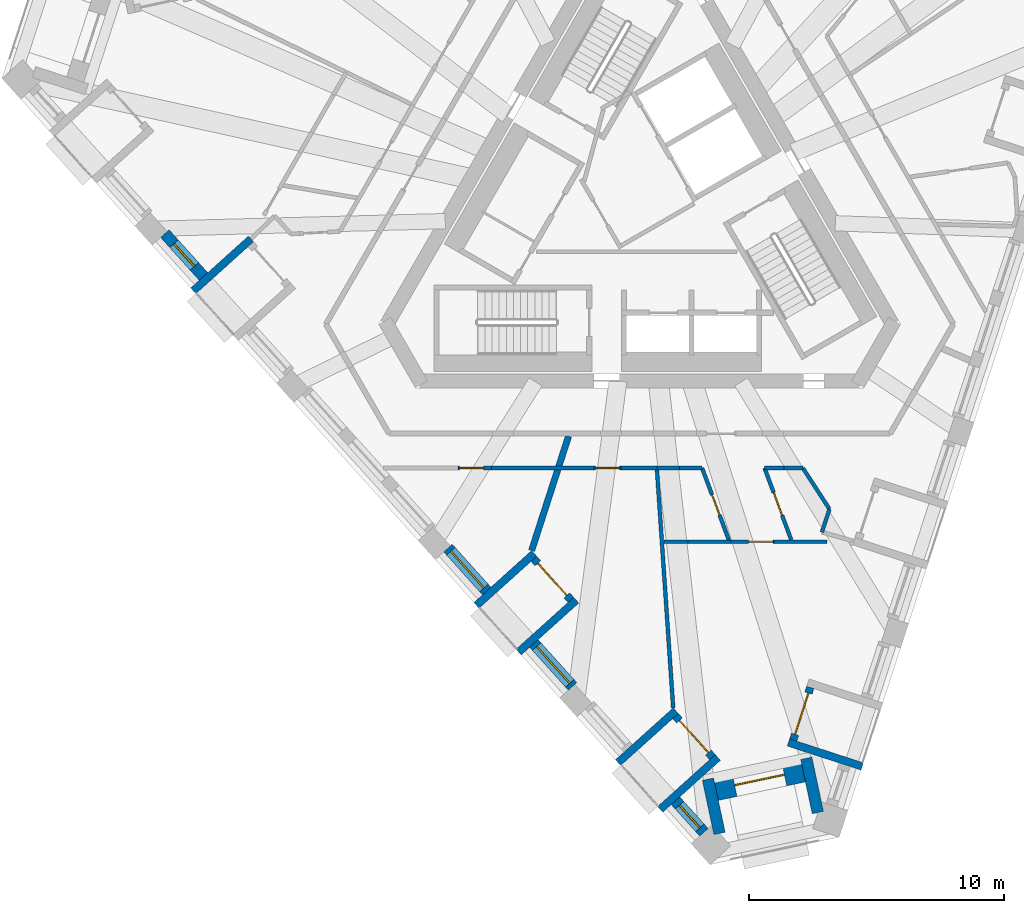
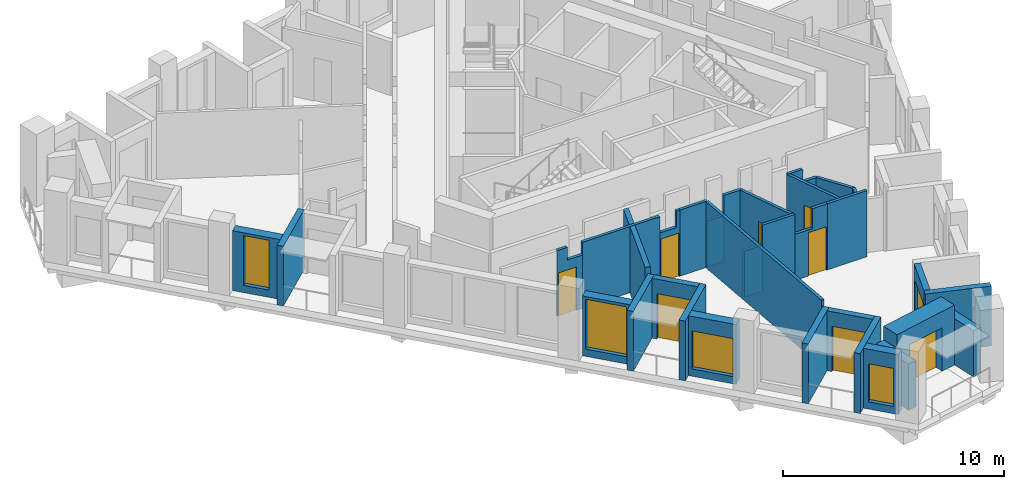
# One storey, part 2 of 12: 34 walls, 9 doors, 4 windows, 13 openings.
"""IFC4 building model written with IfcOpenShell, lengths in metres."""

import ifcopenshell
import ifcopenshell.guid

model = None  # the IFC model being written
_history = None  # IfcOwnerHistory: only IFC2X3 demands one
_inside = {}  # id of a spatial element -> (the spatial element, [elements in it])
_under = {}  # id of a project, library or spatial element -> (it, [spatial elements below it])
_declared = {}  # id of a project -> (the project, [libraries it declares])
_typed = {}  # id of a type object -> (the type object, [elements of that type])
_made_of = {}  # id of a material, layer set ... -> (it, [elements and type objects made of it])


def new_model(schema):
    """Start an empty IFC model of exactly this schema.

    Asked for "IFC4X3", IfcOpenShell would pick the latest addendum, in which some entities
    have other attributes; the version numbers below select the first issue.
    IFC2X3 requires an IfcOwnerHistory on every rooted entity: one is made here for all.
    """
    global model, _history
    if schema == "IFC4X3":
        model = ifcopenshell.file(schema_version=(4, 3, 0, 0))
    else:
        model = ifcopenshell.file(schema=schema)
    _inside.clear()
    _under.clear()
    _declared.clear()
    _typed.clear()
    _made_of.clear()
    _history = None
    if model.schema == "IFC2X3":
        org = make("IfcOrganization", Name="unknown")
        user = make(
            "IfcPersonAndOrganization",
            ThePerson=make("IfcPerson", FamilyName="unknown"),
            TheOrganization=org,
        )
        app = make(
            "IfcApplication",
            ApplicationDeveloper=org,
            Version="unknown",
            ApplicationFullName="unknown",
            ApplicationIdentifier="unknown",
        )
        _history = make(
            "IfcOwnerHistory",
            OwningUser=user,
            OwningApplication=app,
            ChangeAction="ADDED",
            CreationDate=0,
        )
    return model


def make(cls, **values):
    """One entity of the class cls with the attributes given. An attribute that is None is left unset."""
    return model.create_entity(
        cls, **{name: value for name, value in values.items() if value is not None}
    )


def rooted(cls, **values):
    """An entity with a GlobalId (a new one), such as an element, a storey or a relation."""
    return make(cls, GlobalId=ifcopenshell.guid.new(), OwnerHistory=_history, **values)


def si_unit(unit_type, name, prefix=None):
    """IfcSIUnit, for example si_unit("LENGTHUNIT", "METRE", prefix="MILLI")."""
    return make("IfcSIUnit", UnitType=unit_type, Prefix=prefix, Name=name)


def assignment(units):
    """IfcUnitAssignment: the units of a project."""
    return None if units is None else make("IfcUnitAssignment", Units=units)


def point(xyz):
    """IfcCartesianPoint."""
    return None if xyz is None else make("IfcCartesianPoint", Coordinates=xyz)


def direction(xyz):
    """IfcDirection."""
    return None if xyz is None else make("IfcDirection", DirectionRatios=xyz)


def frame(location, z_axis=None, x_axis=None):
    """IfcAxis2Placement3D, a coordinate frame: its origin and axes. An axis left out is left unset."""
    return make(
        "IfcAxis2Placement3D",
        Location=point(location),
        Axis=direction(z_axis),
        RefDirection=direction(x_axis),
    )


def frame_2d(location, x_axis=None):
    """IfcAxis2Placement2D, a coordinate frame in the plane: its origin and x axis."""
    return make(
        "IfcAxis2Placement2D", Location=point(location), RefDirection=direction(x_axis)
    )


def origin():
    """The frame at (0, 0, 0) with its axes left unset."""
    return frame((0.0, 0.0, 0.0))


def place(relative_to, where):
    """IfcLocalPlacement: puts the frame where relative to a parent placement (None: the world)."""
    return make(
        "IfcLocalPlacement", PlacementRelTo=relative_to, RelativePlacement=where
    )


def context(
    kind, dimensions, precision=None, world=None, true_north=None, identifier=None
):
    """IfcGeometricRepresentationContext, for example the 3D "Model" context."""
    return make(
        "IfcGeometricRepresentationContext",
        ContextIdentifier=identifier,
        ContextType=kind,
        CoordinateSpaceDimension=dimensions,
        Precision=precision,
        WorldCoordinateSystem=world,
        TrueNorth=true_north,
    )


def subcontext(parent, identifier, kind, view, scale=None):
    """IfcGeometricRepresentationSubContext, for example "Body" below "Model"."""
    return make(
        "IfcGeometricRepresentationSubContext",
        ContextIdentifier=identifier,
        ContextType=kind,
        ParentContext=parent,
        TargetScale=scale,
        TargetView=view,
    )


def project(units=None, contexts=None):
    """IfcProject with its units and contexts."""
    return rooted(
        "IfcProject",
        Name="project",
        RepresentationContexts=contexts,
        UnitsInContext=assignment(units),
    )


def spatial(cls, under=None, at=None, **own):
    """A site, building, storey or space (cls), placed at a placement, below another one or the project."""
    s = rooted(cls, ObjectPlacement=at, **own)
    if under is not None:
        _under.setdefault(under.id(), (under, []))[1].append(s)
    return s


def polyline(points):
    """IfcPolyline through the points."""
    return make("IfcPolyline", Points=[point(p) for p in points])


def profile(cls, at=None, kind="AREA", **sizes):
    """A parametric profile (cls). Its sizes go by their IFC names, for example OverallWidth=200.0."""
    return make(cls, ProfileType=kind, Position=at, **sizes)


def rectangle(**sizes):
    """IfcRectangleProfileDef."""
    return profile("IfcRectangleProfileDef", **sizes)


def outline(outer, holes=None, kind="AREA"):
    """IfcArbitraryClosedProfileDef: a profile drawn as a closed curve; with holes, ...WithVoids."""
    if holes is None:
        return make("IfcArbitraryClosedProfileDef", ProfileType=kind, OuterCurve=outer)
    return make(
        "IfcArbitraryProfileDefWithVoids",
        ProfileType=kind,
        OuterCurve=outer,
        InnerCurves=holes,
    )


def extrude(swept, where, along, depth):
    """IfcExtrudedAreaSolid: the profile swept, set in the frame where, extruded along a direction by depth."""
    return make(
        "IfcExtrudedAreaSolid",
        SweptArea=swept,
        Position=where,
        ExtrudedDirection=direction(along),
        Depth=depth,
    )


def shape(context_of_items, identifier, shape_type, items):
    """IfcShapeRepresentation: the items that make up one representation, for example the "Body"."""
    return make(
        "IfcShapeRepresentation",
        ContextOfItems=context_of_items,
        RepresentationIdentifier=identifier,
        RepresentationType=shape_type,
        Items=items,
    )


def material(Name=None, Category=None):
    """IfcMaterial."""
    return make("IfcMaterial", Name=Name, Category=Category)


def layer(
    of_material, thickness, ventilated=None, Name=None, Category=None, Priority=None
):
    """IfcMaterialLayer: one layer of a wall or slab, of a material (None: an air gap)."""
    return make(
        "IfcMaterialLayer",
        Material=of_material,
        LayerThickness=thickness,
        IsVentilated=ventilated,
        Name=Name,
        Category=Category,
        Priority=Priority,
    )


def layer_set(layers, Name=None):
    """IfcMaterialLayerSet."""
    return make("IfcMaterialLayerSet", MaterialLayers=layers, LayerSetName=Name)


def made_of(thing, what):
    """Note that an element or type object is made of a material, layer set ...; save() writes the relation."""
    if what is not None:
        _made_of.setdefault(what.id(), (what, []))[1].append(thing)
    return thing


def type_object(cls, material=None, **own):
    """A type object (cls), such as IfcWallType, which elements share."""
    return made_of(rooted(cls, **own), material)


def element(
    cls,
    number,
    at=None,
    inside=None,
    cuts=None,
    type_object=None,
    material=None,
    context=None,
    identifier="Body",
    shape_type=None,
    held_by="IfcProductDefinitionShape",
    body=None,
    shapes=None,
    **own,
):
    """One element of the class cls, such as IfcWall. Its Tag is "e" and its number.

    at: its placement. inside: the storey or other place that contains it. cuts: it is an
    opening in that element (IfcRelVoidsElement). A single representation is given by context,
    identifier, shape_type and body (its items); several are given by shapes. held_by: the class
    of the entity that holds the representations. save() writes the other relations.
    """
    e = rooted(cls, Tag="e%d" % number, ObjectPlacement=at, **own)
    if body is not None:
        shapes = [shape(context, identifier, shape_type, body)]
    if shapes is not None:
        e.Representation = make(held_by, Representations=shapes)
    if inside is not None:
        _inside.setdefault(inside.id(), (inside, []))[1].append(e)
    if cuts is not None:
        rooted(
            "IfcRelVoidsElement", RelatingBuildingElement=cuts, RelatedOpeningElement=e
        )
    if type_object is not None:
        _typed.setdefault(type_object.id(), (type_object, []))[1].append(e)
    return made_of(e, material)


def fill(opening, filler):
    """IfcRelFillsElement: the door or window that sits in an opening."""
    return rooted(
        "IfcRelFillsElement",
        RelatingOpeningElement=opening,
        RelatedBuildingElement=filler,
    )


def aggregate(whole, parts):
    """IfcRelAggregates: a whole, such as a stair, and the parts it consists of."""
    return rooted("IfcRelAggregates", RelatingObject=whole, RelatedObjects=parts)


def save(model, path):
    """Write the relations noted so far, then the file.

    IfcRelAggregates (storeys below a building ...), IfcRelContainedInSpatialStructure (elements
    in a storey), IfcRelDefinesByType, IfcRelAssociatesMaterial and IfcRelDeclares: one each for
    every whole, place, type object, material and project.
    """
    for whole, parts in _under.values():
        aggregate(whole, parts)
    for where, things in _inside.values():
        rooted(
            "IfcRelContainedInSpatialStructure",
            RelatedElements=things,
            RelatingStructure=where,
        )
    for kind, things in _typed.values():
        rooted("IfcRelDefinesByType", RelatedObjects=things, RelatingType=kind)
    for what, things in _made_of.values():
        rooted("IfcRelAssociatesMaterial", RelatedObjects=things, RelatingMaterial=what)
    for by, libraries in _declared.values():
        rooted("IfcRelDeclares", RelatingContext=by, RelatedDefinitions=libraries)
    model.write(path)


model = new_model("IFC4")

# Units and contexts
model_context = context("Model", 3, precision=1e-05, world=origin(), true_north=direction((0.0, 1.0)))
body_context = subcontext(model_context, "Body", "Model", "MODEL_VIEW")
ifc_project = project(units=[si_unit("LENGTHUNIT", "METRE"), si_unit("AREAUNIT", "SQUARE_METRE"), si_unit("VOLUMEUNIT", "CUBIC_METRE"), si_unit("PLANEANGLEUNIT", "RADIAN"), si_unit("MASSUNIT", "GRAM", prefix="KILO")], contexts=[model_context])

# Site, building, storey
site_placement = place(None, origin())
site = spatial("IfcSite", under=ifc_project, at=site_placement, CompositionType="ELEMENT")
building_placement = place(site_placement, origin())
building = spatial("IfcBuilding", under=site, at=building_placement, Name="Tramontana Tower", CompositionType="ELEMENT")
storey_placement = place(building_placement, frame((0.0, 0.0, 336.39990234375)))
storey = spatial("IfcBuildingStorey", under=building, at=storey_placement, Name="L77", CompositionType="ELEMENT", Elevation=336.39990234375)

# Wall, opening, window
ifc_material_1 = material(Name="Precast concrete 60 MPa", Category="concrete")
ifc_layer_1 = layer(ifc_material_1, 0.449951171875)
ifc_layer_set_1 = layer_set([ifc_layer_1], Name="Precast concrete 60 MPa, 450 mm")
wall_type_1 = type_object("IfcWallType", Name="EW1 Stone-faced precast wall 450", PredefinedType="SOLIDWALL", material=ifc_layer_set_1)
wall_1_placement = place(storey_placement, frame((-18.655517578125, -0.689208984375, 0.0), z_axis=(0.0, 0.0, 1.0), x_axis=(0.669107243666, -0.743165860676, 0.0)))
wall_1 = element("IfcWall", 1, at=wall_1_placement, inside=storey, type_object=wall_type_1, Name="External wall L77 face 0 bay 2", PredefinedType="SOLIDWALL", context=body_context, shape_type="SweptSolid", body=[
    extrude(rectangle(XDim=2.271240234375, YDim=0.449951171875, at=frame_2d((1.1357421875, 0.0))), origin(), (0.0, 0.0, 1.0), 3.300048828125),
])
opening_1_placement = place(wall_1_placement, frame((0.53564453125, 0.0, 0.39990234375)))
opening_1 = element("IfcOpeningElement", 2, at=opening_1_placement, cuts=wall_1, Name="Opening N3", PredefinedType="OPENING", context=body_context, shape_type="SweptSolid", body=[
    extrude(rectangle(XDim=1.199951171875, YDim=2.75, at=frame_2d((0.60009765625, 1.375))), frame((0.0, 0.23486328125, 0.0), z_axis=(0.0, -1.0, 0.0), x_axis=(1.0, 0.0, 0.0)), (0.0, 0.0, 1.0), 0.469970703125),
])
ifc_material_2 = material(Name="Aluminum frame, double glazing unit", Category="aluminium")
window_type_1 = type_object("IfcWindowType", Name="N3 Window 1.2 x 2.75", PartitioningType="SINGLE_PANEL", PredefinedType="WINDOW", material=ifc_material_2)
window_1_placement = place(opening_1_placement, origin())
window_1 = element("IfcWindow", 3, at=window_1_placement, inside=storey, type_object=window_type_1, Name="Window N3 L77 face 0 module 4", OverallHeight=2.75, OverallWidth=1.199951171875, PartitioningType="SINGLE_PANEL", PredefinedType="WINDOW", context=body_context, shape_type="SweptSolid", body=[
    extrude(rectangle(XDim=1.199951171875, YDim=2.75, at=frame_2d((0.60009765625, 1.375))), frame((0.0, 0.030029296875, 0.0), z_axis=(0.0, -1.0, 0.0), x_axis=(1.0, 0.0, 0.0)), (0.0, 0.0, 1.0), 0.06005859375),
])
fill(opening_1, window_1)

wall_2_placement = place(storey_placement, frame((-7.529541015625, -13.046142578125, 0.0), z_axis=(0.0, 0.0, 1.0), x_axis=(0.669160694992, -0.743117732447, 0.0)))
wall_2 = element("IfcWall", 4, at=wall_2_placement, inside=storey, type_object=wall_type_1, Name="External wall L77 face 0 bay 4", PredefinedType="SOLIDWALL", context=body_context, shape_type="SweptSolid", body=[
    extrude(rectangle(XDim=2.271240234375, YDim=0.449951171875, at=frame_2d((1.1357421875, 0.0))), origin(), (0.0, 0.0, 1.0), 3.300048828125),
])
opening_2_placement = place(wall_2_placement, frame((0.16064453125, 0.0, 0.39990234375)))
opening_2 = element("IfcOpeningElement", 5, at=opening_2_placement, cuts=wall_2, Name="Opening M3", PredefinedType="OPENING", context=body_context, shape_type="SweptSolid", body=[
    extrude(rectangle(XDim=1.949951171875, YDim=2.75, at=frame_2d((0.97509765625, 1.375))), frame((0.0, 0.23486328125, 0.0), z_axis=(0.0, -1.0, 0.0), x_axis=(1.0, 0.0, 0.0)), (0.0, 0.0, 1.0), 0.469970703125),
])
ifc_material_3 = material(Name="Aluminum frame, double glazing unit", Category="aluminium")
window_type_2 = type_object("IfcWindowType", Name="M3 Window 1.95 x 2.75", PartitioningType="SINGLE_PANEL", PredefinedType="WINDOW", material=ifc_material_3)
window_2_placement = place(opening_2_placement, origin())
window_2 = element("IfcWindow", 6, at=window_2_placement, inside=storey, type_object=window_type_2, Name="Window M3 L77 face 0 module 10", OverallHeight=2.75, OverallWidth=1.949951171875, PartitioningType="SINGLE_PANEL", PredefinedType="WINDOW", context=body_context, shape_type="SweptSolid", body=[
    extrude(rectangle(XDim=1.949951171875, YDim=2.75, at=frame_2d((0.97509765625, 1.375))), frame((0.0, 0.030029296875, 0.0), z_axis=(0.0, -1.0, 0.0), x_axis=(1.0, 0.0, 0.0)), (0.0, 0.0, 1.0), 0.06005859375),
])
fill(opening_2, window_2)

wall_3_placement = place(storey_placement, frame((-4.1552734375, -16.79345703125, 0.0), z_axis=(0.0, 0.0, 1.0), x_axis=(0.669160694992, -0.743117732447, 0.0)))
wall_3 = element("IfcWall", 7, at=wall_3_placement, inside=storey, type_object=wall_type_1, Name="External wall L77 face 0 bay 4", PredefinedType="SOLIDWALL", context=body_context, shape_type="SweptSolid", body=[
    extrude(rectangle(XDim=2.271240234375, YDim=0.449951171875, at=frame_2d((1.1357421875, 0.0))), origin(), (0.0, 0.0, 1.0), 3.300048828125),
])
opening_3_placement = place(wall_3_placement, frame((0.16064453125, 0.0, 0.39990234375)))
opening_3 = element("IfcOpeningElement", 8, at=opening_3_placement, cuts=wall_3, Name="Opening M3L", PredefinedType="OPENING", context=body_context, shape_type="SweptSolid", body=[
    extrude(rectangle(XDim=1.949951171875, YDim=2.10009765625, at=frame_2d((0.97509765625, 1.050048828125))), frame((0.0, 0.23486328125, 0.0), z_axis=(0.0, -1.0, 0.0), x_axis=(1.0, 0.0, 0.0)), (0.0, 0.0, 1.0), 0.469970703125),
])
ifc_material_4 = material(Name="Aluminum frame, double glazing unit", Category="aluminium")
window_type_3 = type_object("IfcWindowType", Name="M3L Window 1.95 x 2.1", PartitioningType="SINGLE_PANEL", PredefinedType="WINDOW", material=ifc_material_4)
window_3_placement = place(opening_3_placement, origin())
window_3 = element("IfcWindow", 9, at=window_3_placement, inside=storey, type_object=window_type_3, Name="Window M3L L77 face 0 module 12", OverallHeight=2.10009765625, OverallWidth=1.949951171875, PartitioningType="SINGLE_PANEL", PredefinedType="WINDOW", context=body_context, shape_type="SweptSolid", body=[
    extrude(rectangle(XDim=1.949951171875, YDim=2.10009765625, at=frame_2d((0.97509765625, 1.050048828125))), frame((0.0, 0.030029296875, 0.0), z_axis=(0.0, -1.0, 0.0), x_axis=(1.0, 0.0, 0.0)), (0.0, 0.0, 1.0), 0.06005859375),
])
fill(opening_3, window_3)

wall_4_placement = place(storey_placement, frame((1.40771484375, -22.971923828125, 0.0), z_axis=(0.0, 0.0, 1.0), x_axis=(0.669182609054, -0.743097998746, 0.0)))
wall_4 = element("IfcWall", 10, at=wall_4_placement, inside=storey, type_object=wall_type_1, Name="External wall L77 face 0 bay 5", PredefinedType="SOLIDWALL", context=body_context, shape_type="SweptSolid", body=[
    extrude(rectangle(XDim=1.67138671875, YDim=0.449951171875, at=frame_2d((0.835693359375, 0.0))), origin(), (0.0, 0.0, 1.0), 3.300048828125),
])
opening_4_placement = place(wall_4_placement, frame((0.235595703125, 0.0, 0.39990234375)))
opening_4 = element("IfcOpeningElement", 11, at=opening_4_placement, cuts=wall_4, Name="Opening N3L", PredefinedType="OPENING", context=body_context, shape_type="SweptSolid", body=[
    extrude(rectangle(XDim=1.199951171875, YDim=2.10009765625, at=frame_2d((0.60009765625, 1.050048828125))), frame((0.0, 0.23486328125, 0.0), z_axis=(0.0, -1.0, 0.0), x_axis=(1.0, 0.0, 0.0)), (0.0, 0.0, 1.0), 0.469970703125),
])
ifc_material_5 = material(Name="Aluminum frame, double glazing unit", Category="aluminium")
window_type_4 = type_object("IfcWindowType", Name="N3L Window 1.2 x 2.1", PartitioningType="SINGLE_PANEL", PredefinedType="WINDOW", material=ifc_material_5)
window_4_placement = place(opening_4_placement, origin())
window_4 = element("IfcWindow", 12, at=window_4_placement, inside=storey, type_object=window_type_4, Name="Window N3L L77 face 0 module 15", OverallHeight=2.10009765625, OverallWidth=1.199951171875, PartitioningType="SINGLE_PANEL", PredefinedType="WINDOW", context=body_context, shape_type="SweptSolid", body=[
    extrude(rectangle(XDim=1.199951171875, YDim=2.10009765625, at=frame_2d((0.60009765625, 1.050048828125))), frame((0.0, 0.030029296875, 0.0), z_axis=(0.0, -1.0, 0.0), x_axis=(1.0, 0.0, 0.0)), (0.0, 0.0, 1.0), 0.06005859375),
])
fill(opening_4, window_4)

# Walls
for number, where, z_axis, x_axis, name in (
    (13, (7.00048828125, -23.435791015625, 0.0), (0.0, 0.0, 1.0), (-0.207929769172, 0.978143757886, 0.0), "Corner loggia side wall L77 K81l"),
    (14, (3.136962890625, -24.257080078125, 0.0), (0.0, 0.0, 1.0), (-0.207929769172, 0.978143757886, 0.0), "Corner loggia side wall L77 K81r"),
):
    element("IfcWall", number, at=place(storey_placement, frame(where, z_axis=z_axis, x_axis=x_axis)), inside=storey, type_object=wall_type_1, Name=name, PredefinedType="SOLIDWALL", context=body_context, shape_type="SweptSolid", body=[
        extrude(rectangle(XDim=2.17919921875, YDim=0.449951171875, at=frame_2d((1.089599609375, 0.0))), origin(), (0.0, 0.0, 1.0), 2.550048828125),
    ])

# Wall, opening, door
ifc_material_6 = material(Name="Precast concrete 60 MPa", Category="concrete")
ifc_layer_2 = layer(ifc_material_6, 0.89990234375)
ifc_layer_set_2 = layer_set([ifc_layer_2], Name="EW2 Stone-faced corner loggia wall 900")
wall_type_2 = type_object("IfcWallType", Name="EW2 Stone-faced corner loggia wall 900", PredefinedType="SOLIDWALL", material=ifc_layer_set_2)
wall_5_placement = place(storey_placement, frame((6.4208984375, -21.791259765625, 0.0), z_axis=(0.0, 0.0, 1.0), x_axis=(-0.978154241128, -0.207880447765, 0.0)))
wall_5 = element("IfcWall", 15, at=wall_5_placement, inside=storey, type_object=wall_type_2, Name="Corner loggia wall L77 K81", PredefinedType="SOLIDWALL", context=body_context, shape_type="SweptSolid", body=[
    extrude(rectangle(XDim=3.499755859375, YDim=0.89990234375, at=frame_2d((1.75, 0.0))), origin(), (0.0, 0.0, 1.0), 3.300048828125),
])
opening_5_placement = place(wall_5_placement, frame((0.75, 0.0, 0.0)))
opening_5 = element("IfcOpeningElement", 16, at=opening_5_placement, cuts=wall_5, Name="Opening BD-81C", PredefinedType="OPENING", context=body_context, shape_type="SweptSolid", body=[
    extrude(rectangle(XDim=2.0, YDim=2.39990234375, at=frame_2d((1.0, 1.199951171875))), frame((0.0, 0.4599609375, 0.0), z_axis=(0.0, -1.0, 0.0), x_axis=(1.0, 0.0, 0.0)), (0.0, 0.0, 1.0), 0.919921875),
])
ifc_material_7 = material(Name="Aluminum frame, double glazing unit", Category="aluminium")
door_type_1 = type_object("IfcDoorType", Name="BC1 Sliding door 2 x 2.4", OperationType="SLIDING_TO_LEFT", PredefinedType="DOOR", material=ifc_material_7)
door_1_placement = place(opening_5_placement, origin())
door_1 = element("IfcDoor", 17, at=door_1_placement, inside=storey, type_object=door_type_1, Name="Corner loggia door L77 K81", OperationType="SLIDING_TO_LEFT", OverallHeight=2.39990234375, OverallWidth=2.0, PredefinedType="DOOR", context=body_context, shape_type="SweptSolid", body=[
    extrude(rectangle(XDim=2.0, YDim=2.39990234375, at=frame_2d((1.0, 1.199951171875))), frame((0.0, 0.02490234375, 0.0), z_axis=(0.0, -1.0, 0.0), x_axis=(1.0, 0.0, 0.0)), (0.0, 0.0, 1.0), 0.050048828125),
])
fill(opening_5, door_1)

# Wall
ifc_material_8 = material(Name="Precast concrete 60 MPa", Category="concrete")
ifc_layer_3 = layer(ifc_material_8, 0.300048828125)
ifc_layer_set_3 = layer_set([ifc_layer_3], Name="LW1 Stone-faced loggia wall 300")
wall_type_3 = type_object("IfcWallType", Name="LW1 Stone-faced loggia wall 300", PredefinedType="SOLIDWALL", material=ifc_layer_set_3)
wall_6_placement = place(storey_placement, frame((-17.537109375, -2.9404296875, 0.0), z_axis=(0.0, 0.0, 1.0), x_axis=(0.743118999127, 0.669159288314, 0.0)))
element("IfcWall", 18, at=wall_6_placement, inside=storey, type_object=wall_type_3, Name="Loggia return L77 G8S0.4a", PredefinedType="SOLIDWALL", context=body_context, shape_type="SweptSolid", body=[
    extrude(rectangle(XDim=3.050048828125, YDim=0.300048828125, at=frame_2d((1.52490234375, 0.0))), origin(), (0.0, 0.0, 1.0), 3.300048828125),
])

# Wall, opening, door
wall_7_placement = place(storey_placement, frame((-4.155517578125, -13.468017578125, 0.0), z_axis=(0.0, 0.0, 1.0), x_axis=(0.669144868344, -0.743131983681, 0.0)))
wall_7 = element("IfcWall", 19, at=wall_7_placement, inside=storey, type_object=wall_type_3, Name="Loggia wall L77 G8S0.10", PredefinedType="SOLIDWALL", context=body_context, shape_type="SweptSolid", body=[
    extrude(rectangle(XDim=2.171142578125, YDim=0.300048828125, at=frame_2d((1.08544921875, 0.0))), origin(), (0.0, 0.0, 1.0), 3.300048828125),
])
opening_6_placement = place(wall_7_placement, frame((0.235595703125, 0.0, 0.0)))
opening_6 = element("IfcOpeningElement", 20, at=opening_6_placement, cuts=wall_7, Name="Opening BD-8S0-10", PredefinedType="OPENING", context=body_context, shape_type="SweptSolid", body=[
    extrude(rectangle(XDim=1.699951171875, YDim=2.5, at=frame_2d((0.85009765625, 1.25))), frame((0.0, 0.159912109375, 0.0), z_axis=(0.0, -1.0, 0.0), x_axis=(1.0, 0.0, 0.0)), (0.0, 0.0, 1.0), 0.320068359375),
])
ifc_material_9 = material(Name="Aluminum frame, double glazing unit", Category="aluminium")
door_type_2 = type_object("IfcDoorType", Name="BD3 Sliding door 1.7 x 2.5", OperationType="SLIDING_TO_LEFT", PredefinedType="DOOR", material=ifc_material_9)
door_2_placement = place(opening_6_placement, origin())
door_2 = element("IfcDoor", 21, at=door_2_placement, inside=storey, type_object=door_type_2, Name="Loggia door L77 G8S0.10", OperationType="SLIDING_TO_LEFT", OverallHeight=2.5, OverallWidth=1.699951171875, PredefinedType="DOOR", context=body_context, shape_type="SweptSolid", body=[
    extrude(rectangle(XDim=1.699951171875, YDim=2.5, at=frame_2d((0.85009765625, 1.25))), frame((0.0, 0.02490234375, 0.0), z_axis=(0.0, -1.0, 0.0), x_axis=(1.0, 0.0, 0.0)), (0.0, 0.0, 1.0), 0.050048828125),
])
fill(opening_6, door_2)

# Walls
for number, where, z_axis, x_axis, name in (
    (22, (-6.410888671875, -15.297119140625, 0.0), (0.0, 0.0, 1.0), (0.743158802514, 0.669115082961, 0.0), "Loggia return L77 G8S0.10a"),
    (23, (-4.75732421875, -17.133544921875, 0.0), (0.0, 0.0, 1.0), (0.743158802514, 0.669115082961, 0.0), "Loggia return L77 G8S0.10b"),
):
    element("IfcWall", number, at=place(storey_placement, frame(where, z_axis=z_axis, x_axis=x_axis)), inside=storey, type_object=wall_type_3, Name=name, PredefinedType="SOLIDWALL", context=body_context, shape_type="SweptSolid", body=[
        extrude(rectangle(XDim=3.050048828125, YDim=0.300048828125, at=frame_2d((1.52490234375, 0.0))), origin(), (0.0, 0.0, 1.0), 3.300048828125),
    ])

# Wall, opening, door
wall_8_placement = place(storey_placement, frame((1.40771484375, -19.646484375, 0.0), z_axis=(0.0, 0.0, 1.0), x_axis=(0.669144868344, -0.743131983681, 0.0)))
wall_8 = element("IfcWall", 24, at=wall_8_placement, inside=storey, type_object=wall_type_3, Name="Loggia wall L77 G8S0.13", PredefinedType="SOLIDWALL", context=body_context, shape_type="SweptSolid", body=[
    extrude(rectangle(XDim=2.171142578125, YDim=0.300048828125, at=frame_2d((1.08544921875, 0.0))), origin(), (0.0, 0.0, 1.0), 3.300048828125),
])
opening_7_placement = place(wall_8_placement, frame((0.235595703125, 0.0, 0.0)))
opening_7 = element("IfcOpeningElement", 25, at=opening_7_placement, cuts=wall_8, Name="Opening BD-8S0-13", PredefinedType="OPENING", context=body_context, shape_type="SweptSolid", body=[
    extrude(rectangle(XDim=1.699951171875, YDim=2.5, at=frame_2d((0.85009765625, 1.25))), frame((0.0, 0.159912109375, 0.0), z_axis=(0.0, -1.0, 0.0), x_axis=(1.0, 0.0, 0.0)), (0.0, 0.0, 1.0), 0.320068359375),
])
door_3_placement = place(opening_7_placement, origin())
door_3 = element("IfcDoor", 26, at=door_3_placement, inside=storey, type_object=door_type_2, Name="Loggia door L77 G8S0.13", OperationType="SLIDING_TO_LEFT", OverallHeight=2.5, OverallWidth=1.699951171875, PredefinedType="DOOR", context=body_context, shape_type="SweptSolid", body=[
    extrude(rectangle(XDim=1.699951171875, YDim=2.5, at=frame_2d((0.85009765625, 1.25))), frame((0.0, 0.02490234375, 0.0), z_axis=(0.0, -1.0, 0.0), x_axis=(1.0, 0.0, 0.0)), (0.0, 0.0, 1.0), 0.050048828125),
])
fill(opening_7, door_3)

# Walls
for number, where, z_axis, x_axis, name in (
    (27, (-0.847900390625, -21.4755859375, 0.0), (0.0, 0.0, 1.0), (0.743118999127, 0.669159288314, 0.0), "Loggia return L77 G8S0.13a"),
    (28, (0.8056640625, -23.31201171875, 0.0), (0.0, 0.0, 1.0), (0.743158802514, 0.669115082961, 0.0), "Loggia return L77 G8S0.13b"),
):
    element("IfcWall", number, at=place(storey_placement, frame(where, z_axis=z_axis, x_axis=x_axis)), inside=storey, type_object=wall_type_3, Name=name, PredefinedType="SOLIDWALL", context=body_context, shape_type="SweptSolid", body=[
        extrude(rectangle(XDim=3.050048828125, YDim=0.300048828125, at=frame_2d((1.52490234375, 0.0))), origin(), (0.0, 0.0, 1.0), 3.300048828125),
    ])

# Wall, opening, door
wall_9_placement = place(storey_placement, frame((6.0341796875, -20.58544921875, 0.0), z_axis=(0.0, 0.0, 1.0), x_axis=(0.308999623589, 0.95106216023, 0.0)))
wall_9 = element("IfcWall", 29, at=wall_9_placement, inside=storey, type_object=wall_type_3, Name="Loggia wall L77 G8S1.1", PredefinedType="SOLIDWALL", context=body_context, shape_type="SweptSolid", body=[
    extrude(rectangle(XDim=2.171142578125, YDim=0.300048828125, at=frame_2d((1.08544921875, 0.0))), origin(), (0.0, 0.0, 1.0), 3.300048828125),
])
opening_8_placement = place(wall_9_placement, frame((0.235595703125, 0.0, 0.0)))
opening_8 = element("IfcOpeningElement", 30, at=opening_8_placement, cuts=wall_9, Name="Opening BD-8S1-01", PredefinedType="OPENING", context=body_context, shape_type="SweptSolid", body=[
    extrude(rectangle(XDim=1.699951171875, YDim=2.5, at=frame_2d((0.85009765625, 1.25))), frame((0.0, 0.159912109375, 0.0), z_axis=(0.0, -1.0, 0.0), x_axis=(1.0, 0.0, 0.0)), (0.0, 0.0, 1.0), 0.320068359375),
])
door_4_placement = place(opening_8_placement, origin())
door_4 = element("IfcDoor", 31, at=door_4_placement, inside=storey, type_object=door_type_2, Name="Loggia door L77 G8S1.1", OperationType="SLIDING_TO_LEFT", OverallHeight=2.5, OverallWidth=1.699951171875, PredefinedType="DOOR", context=body_context, shape_type="SweptSolid", body=[
    extrude(rectangle(XDim=1.699951171875, YDim=2.5, at=frame_2d((0.85009765625, 1.25))), frame((0.0, 0.02490234375, 0.0), z_axis=(0.0, -1.0, 0.0), x_axis=(1.0, 0.0, 0.0)), (0.0, 0.0, 1.0), 0.050048828125),
])
fill(opening_8, door_4)

# Walls
wall_10_placement = place(storey_placement, frame((8.745849609375, -21.624267578125, 0.0), z_axis=(0.0, 0.0, 1.0), x_axis=(-0.951072883748, 0.308966615996, 0.0)))
element("IfcWall", 32, at=wall_10_placement, inside=storey, type_object=wall_type_3, Name="Loggia return L77 G8S1.1a", PredefinedType="SOLIDWALL", context=body_context, shape_type="SweptSolid", body=[
    extrude(rectangle(XDim=3.050048828125, YDim=0.300048828125, at=frame_2d((1.52490234375, 0.0))), origin(), (0.0, 0.0, 1.0), 3.300048828125),
])
ifc_material_10 = material(Name="Gypsum board partition")
ifc_layer_4 = layer(ifc_material_10, 0.14990234375)
ifc_layer_set_4 = layer_set([ifc_layer_4], Name="PARTITION 150")
wall_type_4 = type_object("IfcWallType", Name="PARTITION 150", PredefinedType="PARTITIONING", material=ifc_layer_set_4)
wall_11_placement = place(storey_placement, frame((1.318359375, -19.322998046875, 0.0), z_axis=(0.0, 0.0, 1.0), x_axis=(-0.068059844865, 0.997681240436, 0.0)))
element("IfcWall", 33, at=wall_11_placement, inside=storey, type_object=wall_type_4, Name="Wall v81-pw12", PredefinedType="PARTITIONING", context=body_context, shape_type="SweptSolid", body=[
    extrude(rectangle(XDim=9.36962890625, YDim=0.14990234375, at=frame_2d((4.684814453125, 0.0))), origin(), (0.0, 0.0, 1.0), 3.650146484375),
])
wall_12_placement = place(storey_placement, frame((2.45166015625, -9.89990234375, 0.0), z_axis=(0.0, 0.0, 1.0), x_axis=(-1.0, 0.0, 0.0)))
element("IfcWall", 34, at=wall_12_placement, inside=storey, type_object=wall_type_4, Name="Wall v81-pw13-0", PredefinedType="PARTITIONING", context=body_context, shape_type="SweptSolid", body=[
    extrude(rectangle(XDim=0.888916015625, YDim=0.14990234375, at=frame_2d((0.4443359375, 0.0))), origin(), (0.0, 0.0, 1.0), 3.650146484375),
])
wall_13_placement = place(storey_placement, frame((1.562744140625, -9.89990234375, 0.0), z_axis=(0.0, 0.0, 1.0), x_axis=(-1.0, 0.0, 0.0)))
element("IfcWall", 35, at=wall_13_placement, inside=storey, type_object=wall_type_4, Name="Wall v81-pw13-1", PredefinedType="PARTITIONING", context=body_context, shape_type="SweptSolid", body=[
    extrude(rectangle(XDim=0.880615234375, YDim=0.14990234375, at=frame_2d((0.4404296875, 0.0))), origin(), (0.0, 0.0, 1.0), 2.550048828125),
])
wall_14_placement = place(storey_placement, frame((0.68212890625, -9.89990234375, 0.0), z_axis=(0.0, 0.0, 1.0), x_axis=(-1.0, 0.0, 0.0)))
element("IfcWall", 36, at=wall_14_placement, inside=storey, type_object=wall_type_4, Name="Wall v81-pw13-2", PredefinedType="PARTITIONING", context=body_context, shape_type="SweptSolid", body=[
    extrude(rectangle(XDim=1.416259765625, YDim=0.14990234375, at=frame_2d((0.7080078125, 0.0))), origin(), (0.0, 0.0, 1.0), 3.650146484375),
])

# Wall, opening, door
wall_15_placement = place(storey_placement, frame((-0.734130859375, -9.89990234375, 0.0), z_axis=(0.0, 0.0, 1.0), x_axis=(-1.0, 0.0, 0.0)))
wall_15 = element("IfcWall", 37, at=wall_15_placement, inside=storey, type_object=wall_type_4, Name="Wall v81-pw13-3", PredefinedType="PARTITIONING", context=body_context, shape_type="SweptSolid", body=[
    extrude(outline(polyline([(0.0, 0.0), (1.050048828125, 0.0), (1.050048828125, 2.75), (0.177734375, 2.75), (0.177734375, 3.650146484375), (0.0, 3.650146484375), (0.0, 0.0)])), frame((0.0, 0.074951171875, 0.0), z_axis=(0.0, -1.0, 0.0), x_axis=(1.0, 0.0, 0.0)), (0.0, 0.0, 1.0), 0.14990234375),
])
opening_9_placement = place(wall_15_placement, frame((0.050048828125, 0.0, 0.0)))
opening_9 = element("IfcOpeningElement", 38, at=opening_9_placement, cuts=wall_15, Name="Opening B8B-09", PredefinedType="OPENING", context=body_context, shape_type="SweptSolid", body=[
    extrude(rectangle(XDim=0.949951171875, YDim=2.39990234375, at=frame_2d((0.47509765625, 1.199951171875))), frame((0.0, 0.0849609375, 0.0), z_axis=(0.0, -1.0, 0.0), x_axis=(1.0, 0.0, 0.0)), (0.0, 0.0, 1.0), 0.169921875),
])
ifc_material_11 = material(Name="Painted timber", Category="wood")
door_type_3 = type_object("IfcDoorType", Name="DOOR ROOM 950", OperationType="SINGLE_SWING_LEFT", PredefinedType="DOOR", material=ifc_material_11)
door_5_placement = place(opening_9_placement, origin())
door_5 = element("IfcDoor", 39, at=door_5_placement, inside=storey, type_object=door_type_3, Name="Door B8B-09", OperationType="SINGLE_SWING_LEFT", OverallHeight=2.39990234375, OverallWidth=0.949951171875, PredefinedType="DOOR", context=body_context, shape_type="SweptSolid", body=[
    extrude(rectangle(XDim=0.949951171875, YDim=2.39990234375, at=frame_2d((0.47509765625, 1.199951171875))), frame((0.0, 0.02490234375, 0.0), z_axis=(0.0, -1.0, 0.0), x_axis=(1.0, 0.0, 0.0)), (0.0, 0.0, 1.0), 0.050048828125),
])
fill(opening_9, door_5)

# Wall
wall_16_placement = place(storey_placement, frame((-1.7841796875, -9.89990234375, 0.0), z_axis=(0.0, 0.0, 1.0), x_axis=(-1.0, 0.0, 0.0)))
element("IfcWall", 40, at=wall_16_placement, inside=storey, type_object=wall_type_4, Name="Wall v81-pw13-4", PredefinedType="PARTITIONING", context=body_context, shape_type="SweptSolid", body=[
    extrude(rectangle(XDim=4.029296875, YDim=0.14990234375, at=frame_2d((2.0146484375, 0.0))), origin(), (0.0, 0.0, 1.0), 3.650146484375),
])

# Wall, opening, door
wall_17_placement = place(storey_placement, frame((-5.8134765625, -9.89990234375, 0.0), z_axis=(0.0, 0.0, 1.0), x_axis=(-1.0, 0.0, 0.0)))
wall_17 = element("IfcWall", 41, at=wall_17_placement, inside=storey, type_object=wall_type_4, Name="Wall v81-pw13-5", PredefinedType="PARTITIONING", context=body_context, shape_type="SweptSolid", body=[
    extrude(outline(polyline([(0.0, 0.0), (1.319091796875, 0.0), (1.319091796875, 3.650146484375), (0.796875, 3.650146484375), (0.796875, 2.9501953125), (0.0, 2.9501953125), (0.0, 0.0)])), frame((0.0, 0.074951171875, 0.0), z_axis=(0.0, -1.0, 0.0), x_axis=(1.0, 0.0, 0.0)), (0.0, 0.0, 1.0), 0.14990234375),
])
opening_10_placement = place(wall_17_placement, frame((0.319091796875, 0.0, 0.0)))
opening_10 = element("IfcOpeningElement", 42, at=opening_10_placement, cuts=wall_17, Name="Opening B8B-04", PredefinedType="OPENING", context=body_context, shape_type="SweptSolid", body=[
    extrude(rectangle(XDim=0.949951171875, YDim=2.39990234375, at=frame_2d((0.47509765625, 1.199951171875))), frame((0.0, 0.0849609375, 0.0), z_axis=(0.0, -1.0, 0.0), x_axis=(1.0, 0.0, 0.0)), (0.0, 0.0, 1.0), 0.169921875),
])
door_6_placement = place(opening_10_placement, origin())
door_6 = element("IfcDoor", 43, at=door_6_placement, inside=storey, type_object=door_type_3, Name="Door B8B-04", OperationType="SINGLE_SWING_RIGHT", OverallHeight=2.39990234375, OverallWidth=0.949951171875, PredefinedType="DOOR", context=body_context, shape_type="SweptSolid", body=[
    extrude(rectangle(XDim=0.949951171875, YDim=2.39990234375, at=frame_2d((0.47509765625, 1.199951171875))), frame((0.0, 0.02490234375, 0.0), z_axis=(0.0, -1.0, 0.0), x_axis=(1.0, 0.0, 0.0)), (0.0, 0.0, 1.0), 0.050048828125),
])
fill(opening_10, door_6)

wall_18_placement = place(storey_placement, frame((3.530029296875, -12.797119140625, 0.0), z_axis=(0.0, 0.0, 1.0), x_axis=(-0.348428586775, 0.937335329494, 0.0)))
wall_18 = element("IfcWall", 44, at=wall_18_placement, inside=storey, type_object=wall_type_4, Name="Wall v81-pw14", PredefinedType="PARTITIONING", context=body_context, shape_type="SweptSolid", body=[
    extrude(rectangle(XDim=3.08935546875, YDim=0.14990234375, at=frame_2d((1.544677734375, 0.0))), origin(), (0.0, 0.0, 1.0), 3.650146484375),
])
opening_11_placement = place(wall_18_placement, frame((1.11962890625, 0.0, 0.0)))
opening_11 = element("IfcOpeningElement", 45, at=opening_11_placement, cuts=wall_18, Name="Opening B8B-07", PredefinedType="OPENING", context=body_context, shape_type="SweptSolid", body=[
    extrude(rectangle(XDim=0.85009765625, YDim=2.39990234375, at=frame_2d((0.425048828125, 1.199951171875))), frame((0.0, 0.0849609375, 0.0), z_axis=(0.0, -1.0, 0.0), x_axis=(1.0, 0.0, 0.0)), (0.0, 0.0, 1.0), 0.169921875),
])
ifc_material_12 = material(Name="Painted timber", Category="wood")
door_type_4 = type_object("IfcDoorType", Name="DOOR BATH 850", OperationType="SINGLE_SWING_LEFT", PredefinedType="DOOR", material=ifc_material_12)
door_7_placement = place(opening_11_placement, origin())
door_7 = element("IfcDoor", 46, at=door_7_placement, inside=storey, type_object=door_type_4, Name="Door B8B-07", OperationType="SINGLE_SWING_LEFT", OverallHeight=2.39990234375, OverallWidth=0.85009765625, PredefinedType="DOOR", context=body_context, shape_type="SweptSolid", body=[
    extrude(rectangle(XDim=0.85009765625, YDim=2.39990234375, at=frame_2d((0.425048828125, 1.199951171875))), frame((0.0, 0.02490234375, 0.0), z_axis=(0.0, -1.0, 0.0), x_axis=(1.0, 0.0, 0.0)), (0.0, 0.0, 1.0), 0.050048828125),
])
fill(opening_11, door_7)

wall_19_placement = place(storey_placement, frame((4.907958984375, -9.902587890625, 0.0), z_axis=(0.0, 0.0, 1.0), x_axis=(0.348420640425, -0.937338283293, 0.0)))
wall_19 = element("IfcWall", 47, at=wall_19_placement, inside=storey, type_object=wall_type_4, Name="Wall v81-pw15", PredefinedType="PARTITIONING", context=body_context, shape_type="SweptSolid", body=[
    extrude(rectangle(XDim=3.010986328125, YDim=0.14990234375, at=frame_2d((1.50537109375, 0.0))), origin(), (0.0, 0.0, 1.0), 3.650146484375),
])
opening_12_placement = place(wall_19_placement, frame((1.030517578125, 0.0, 0.0)))
opening_12 = element("IfcOpeningElement", 48, at=opening_12_placement, cuts=wall_19, Name="Opening B8B-06", PredefinedType="OPENING", context=body_context, shape_type="SweptSolid", body=[
    extrude(rectangle(XDim=0.949951171875, YDim=2.39990234375, at=frame_2d((0.47509765625, 1.199951171875))), frame((0.0, 0.0849609375, 0.0), z_axis=(0.0, -1.0, 0.0), x_axis=(1.0, 0.0, 0.0)), (0.0, 0.0, 1.0), 0.169921875),
])
door_8_placement = place(opening_12_placement, origin())
door_8 = element("IfcDoor", 49, at=door_8_placement, inside=storey, type_object=door_type_3, Name="Door B8B-06", OperationType="SINGLE_SWING_RIGHT", OverallHeight=2.39990234375, OverallWidth=0.949951171875, PredefinedType="DOOR", context=body_context, shape_type="SweptSolid", body=[
    extrude(rectangle(XDim=0.949951171875, YDim=2.39990234375, at=frame_2d((0.47509765625, 1.199951171875))), frame((0.0, 0.02490234375, 0.0), z_axis=(0.0, -1.0, 0.0), x_axis=(1.0, 0.0, 0.0)), (0.0, 0.0, 1.0), 0.050048828125),
])
fill(opening_12, door_8)

# Walls
wall_20_placement = place(storey_placement, frame((6.412109375, -9.89990234375, 0.0), z_axis=(0.0, 0.0, 1.0), x_axis=(-1.0, 0.0, 0.0)))
element("IfcWall", 50, at=wall_20_placement, inside=storey, type_object=wall_type_4, Name="Wall v81-pw19-0", PredefinedType="PARTITIONING", context=body_context, shape_type="SweptSolid", body=[
    extrude(rectangle(XDim=0.741943359375, YDim=0.14990234375, at=frame_2d((0.37109375, 0.0))), origin(), (0.0, 0.0, 1.0), 2.9501953125),
])
wall_21_placement = place(storey_placement, frame((5.670166015625, -9.89990234375, 0.0), z_axis=(0.0, 0.0, 1.0), x_axis=(-1.0, 0.0, 0.0)))
element("IfcWall", 51, at=wall_21_placement, inside=storey, type_object=wall_type_4, Name="Wall v81-pw19-1", PredefinedType="PARTITIONING", context=body_context, shape_type="SweptSolid", body=[
    extrude(rectangle(XDim=0.76025390625, YDim=0.14990234375, at=frame_2d((0.380126953125, 0.0))), origin(), (0.0, 0.0, 1.0), 3.650146484375),
])
wall_22_placement = place(storey_placement, frame((7.162353515625, -12.420654296875, 0.0), z_axis=(0.0, 0.0, 1.0), x_axis=(0.30908028689, 0.951035948982, 0.0)))
element("IfcWall", 52, at=wall_22_placement, inside=storey, type_object=wall_type_4, Name="Wall v81-pw22-0", PredefinedType="PARTITIONING", context=body_context, shape_type="SweptSolid", body=[
    extrude(rectangle(XDim=0.9541015625, YDim=0.14990234375, at=frame_2d((0.47705078125, 0.0))), origin(), (0.0, 0.0, 1.0), 2.9501953125),
])
wall_23_placement = place(storey_placement, frame((7.35595703125, -12.800048828125, 0.0), z_axis=(0.0, 0.0, 1.0), x_axis=(-1.0, 0.0, 0.0)))
element("IfcWall", 53, at=wall_23_placement, inside=storey, type_object=wall_type_4, Name="Wall v81-pw25-0", PredefinedType="PARTITIONING", context=body_context, shape_type="SweptSolid", body=[
    extrude(rectangle(XDim=2.073486328125, YDim=0.14990234375, at=frame_2d((1.03662109375, 0.0))), origin(), (0.0, 0.0, 1.0), 3.650146484375),
])

# Wall, opening, door
wall_24_placement = place(storey_placement, frame((5.282470703125, -12.800048828125, 0.0), z_axis=(0.0, 0.0, 1.0), x_axis=(-1.0, 0.0, 0.0)))
wall_24 = element("IfcWall", 54, at=wall_24_placement, inside=storey, type_object=wall_type_4, Name="Wall v81-pw25-1", PredefinedType="PARTITIONING", context=body_context, shape_type="SweptSolid", body=[
    extrude(outline(polyline([(0.0, 0.0), (1.69775390625, 0.0), (1.69775390625, 2.550048828125), (0.780029296875, 2.550048828125), (0.780029296875, 3.650146484375), (0.0, 3.650146484375), (0.0, 0.0)])), frame((0.0, 0.074951171875, 0.0), z_axis=(0.0, -1.0, 0.0), x_axis=(1.0, 0.0, 0.0)), (0.0, 0.0, 1.0), 0.14990234375),
])
opening_13_placement = place(wall_24_placement, frame((0.050048828125, 0.0, 0.0)))
opening_13 = element("IfcOpeningElement", 55, at=opening_13_placement, cuts=wall_24, Name="Opening B8B-08", PredefinedType="OPENING", context=body_context, shape_type="SweptSolid", body=[
    extrude(rectangle(XDim=0.949951171875, YDim=2.39990234375, at=frame_2d((0.47509765625, 1.199951171875))), frame((0.0, 0.0849609375, 0.0), z_axis=(0.0, -1.0, 0.0), x_axis=(1.0, 0.0, 0.0)), (0.0, 0.0, 1.0), 0.169921875),
])
door_9_placement = place(opening_13_placement, origin())
door_9 = element("IfcDoor", 56, at=door_9_placement, inside=storey, type_object=door_type_3, Name="Door B8B-08", OperationType="SINGLE_SWING_RIGHT", OverallHeight=2.39990234375, OverallWidth=0.949951171875, PredefinedType="DOOR", context=body_context, shape_type="SweptSolid", body=[
    extrude(rectangle(XDim=0.949951171875, YDim=2.39990234375, at=frame_2d((0.47509765625, 1.199951171875))), frame((0.0, 0.02490234375, 0.0), z_axis=(0.0, -1.0, 0.0), x_axis=(1.0, 0.0, 0.0)), (0.0, 0.0, 1.0), 0.050048828125),
])
fill(opening_13, door_9)

# Walls
wall_25_placement = place(storey_placement, frame((3.584716796875, -12.800048828125, 0.0), z_axis=(0.0, 0.0, 1.0), x_axis=(-1.0, 0.0, 0.0)))
element("IfcWall", 57, at=wall_25_placement, inside=storey, type_object=wall_type_4, Name="Wall v81-pw25-2", PredefinedType="PARTITIONING", context=body_context, shape_type="SweptSolid", body=[
    extrude(rectangle(XDim=1.693115234375, YDim=0.14990234375, at=frame_2d((0.8466796875, 0.0))), origin(), (0.0, 0.0, 1.0), 3.650146484375),
])
wall_26_placement = place(storey_placement, frame((1.8916015625, -12.800048828125, 0.0), z_axis=(0.0, 0.0, 1.0), x_axis=(-1.0, 0.0, 0.0)))
element("IfcWall", 58, at=wall_26_placement, inside=storey, type_object=wall_type_4, Name="Wall v81-pw25-3", PredefinedType="PARTITIONING", context=body_context, shape_type="SweptSolid", body=[
    extrude(rectangle(XDim=0.943115234375, YDim=0.14990234375, at=frame_2d((0.4716796875, 0.0))), origin(), (0.0, 0.0, 1.0), 2.550048828125),
])
wall_27_placement = place(storey_placement, frame((7.45703125, -11.511474609375, 0.0), z_axis=(0.0, 0.0, 1.0), x_axis=(-0.543641589551, 0.839317473969, 0.0)))
element("IfcWall", 59, at=wall_27_placement, inside=storey, type_object=wall_type_4, Name="Wall v81-pw27-0", PredefinedType="PARTITIONING", context=body_context, shape_type="SweptSolid", body=[
    extrude(rectangle(XDim=1.9189453125, YDim=0.14990234375, at=frame_2d((0.95947265625, 0.0))), origin(), (0.0, 0.0, 1.0), 2.9501953125),
])
ifc_material_13 = material(Name="Blockwork", Category="masonry")
ifc_layer_5 = layer(ifc_material_13, 0.25)
ifc_layer_set_5 = layer_set([ifc_layer_5], Name="PARTY WALL 250")
wall_type_5 = type_object("IfcWallType", Name="PARTY WALL 250", PredefinedType="SOLIDWALL", material=ifc_layer_set_5)
wall_28_placement = place(storey_placement, frame((-2.793212890625, -8.650146484375, 0.0), z_axis=(0.0, 0.0, 1.0), x_axis=(-0.307297266893, -0.951613571656, 0.0)))
element("IfcWall", 60, at=wall_28_placement, inside=storey, type_object=wall_type_5, Name="Wall v81-pw11", PredefinedType="SOLIDWALL", context=body_context, shape_type="SweptSolid", body=[
    extrude(rectangle(XDim=4.72314453125, YDim=0.25, at=frame_2d((2.361572265625, 0.0))), origin(), (0.0, 0.0, 1.0), 3.650146484375),
])

save(model, "model.ifc")
